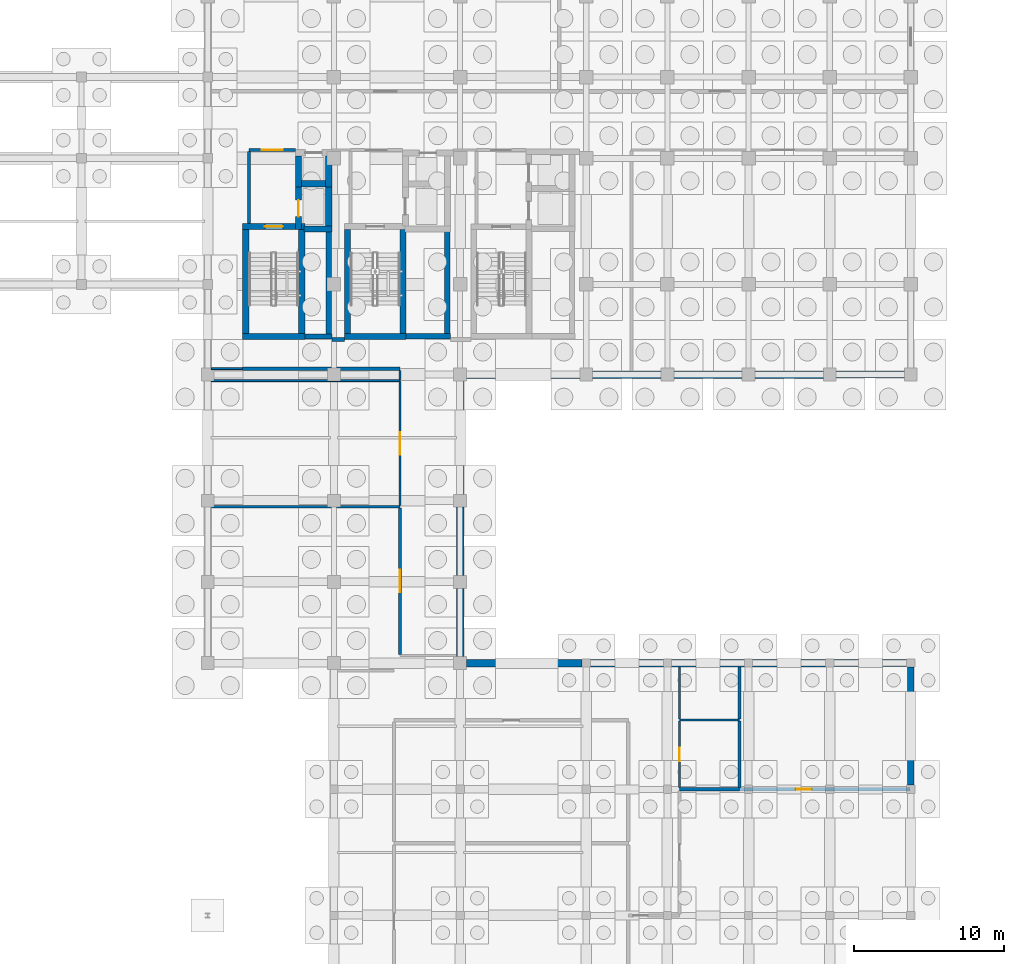
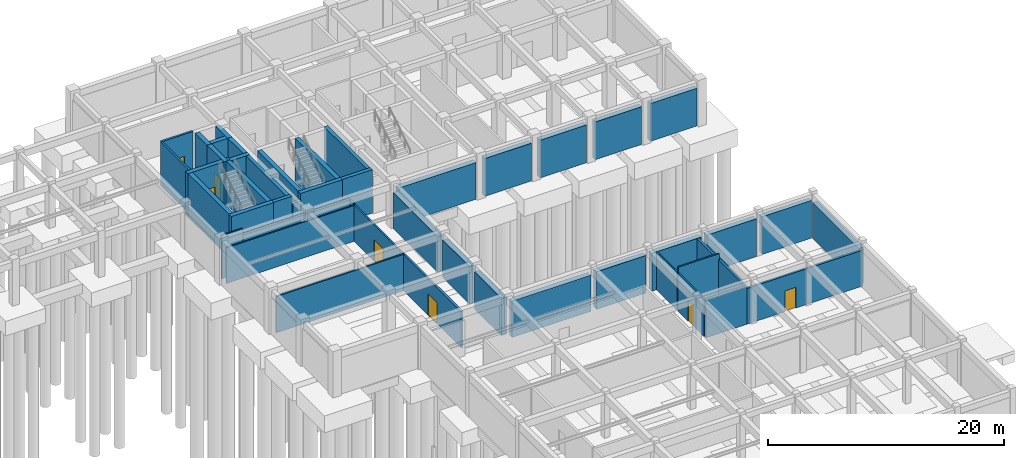
# One storey, part 40 of 49: 48 walls, 7 doors, 7 openings.
"""IFC4 building model written with IfcOpenShell, lengths in metres."""

import ifcopenshell
import ifcopenshell.guid

model = None  # the IFC model being written
_history = None  # IfcOwnerHistory: only IFC2X3 demands one
_inside = {}  # id of a spatial element -> (the spatial element, [elements in it])
_under = {}  # id of a project, library or spatial element -> (it, [spatial elements below it])
_declared = {}  # id of a project -> (the project, [libraries it declares])
_typed = {}  # id of a type object -> (the type object, [elements of that type])
_made_of = {}  # id of a material, layer set ... -> (it, [elements and type objects made of it])


def new_model(schema):
    """Start an empty IFC model of exactly this schema.

    Asked for "IFC4X3", IfcOpenShell would pick the latest addendum, in which some entities
    have other attributes; the version numbers below select the first issue.
    IFC2X3 requires an IfcOwnerHistory on every rooted entity: one is made here for all.
    """
    global model, _history
    if schema == "IFC4X3":
        model = ifcopenshell.file(schema_version=(4, 3, 0, 0))
    else:
        model = ifcopenshell.file(schema=schema)
    _inside.clear()
    _under.clear()
    _declared.clear()
    _typed.clear()
    _made_of.clear()
    _history = None
    if model.schema == "IFC2X3":
        org = make("IfcOrganization", Name="unknown")
        user = make(
            "IfcPersonAndOrganization",
            ThePerson=make("IfcPerson", FamilyName="unknown"),
            TheOrganization=org,
        )
        app = make(
            "IfcApplication",
            ApplicationDeveloper=org,
            Version="unknown",
            ApplicationFullName="unknown",
            ApplicationIdentifier="unknown",
        )
        _history = make(
            "IfcOwnerHistory",
            OwningUser=user,
            OwningApplication=app,
            ChangeAction="ADDED",
            CreationDate=0,
        )
    return model


def make(cls, **values):
    """One entity of the class cls with the attributes given. An attribute that is None is left unset."""
    return model.create_entity(
        cls, **{name: value for name, value in values.items() if value is not None}
    )


def rooted(cls, **values):
    """An entity with a GlobalId (a new one), such as an element, a storey or a relation."""
    return make(cls, GlobalId=ifcopenshell.guid.new(), OwnerHistory=_history, **values)


def si_unit(unit_type, name, prefix=None):
    """IfcSIUnit, for example si_unit("LENGTHUNIT", "METRE", prefix="MILLI")."""
    return make("IfcSIUnit", UnitType=unit_type, Prefix=prefix, Name=name)


def assignment(units):
    """IfcUnitAssignment: the units of a project."""
    return None if units is None else make("IfcUnitAssignment", Units=units)


def point(xyz):
    """IfcCartesianPoint."""
    return None if xyz is None else make("IfcCartesianPoint", Coordinates=xyz)


def direction(xyz):
    """IfcDirection."""
    return None if xyz is None else make("IfcDirection", DirectionRatios=xyz)


def frame(location, z_axis=None, x_axis=None):
    """IfcAxis2Placement3D, a coordinate frame: its origin and axes. An axis left out is left unset."""
    return make(
        "IfcAxis2Placement3D",
        Location=point(location),
        Axis=direction(z_axis),
        RefDirection=direction(x_axis),
    )


def frame_2d(location, x_axis=None):
    """IfcAxis2Placement2D, a coordinate frame in the plane: its origin and x axis."""
    return make(
        "IfcAxis2Placement2D", Location=point(location), RefDirection=direction(x_axis)
    )


def origin():
    """The frame at (0, 0, 0) with its axes left unset."""
    return frame((0.0, 0.0, 0.0))


def place(relative_to, where):
    """IfcLocalPlacement: puts the frame where relative to a parent placement (None: the world)."""
    return make(
        "IfcLocalPlacement", PlacementRelTo=relative_to, RelativePlacement=where
    )


def context(
    kind, dimensions, precision=None, world=None, true_north=None, identifier=None
):
    """IfcGeometricRepresentationContext, for example the 3D "Model" context."""
    return make(
        "IfcGeometricRepresentationContext",
        ContextIdentifier=identifier,
        ContextType=kind,
        CoordinateSpaceDimension=dimensions,
        Precision=precision,
        WorldCoordinateSystem=world,
        TrueNorth=true_north,
    )


def subcontext(parent, identifier, kind, view, scale=None):
    """IfcGeometricRepresentationSubContext, for example "Body" below "Model"."""
    return make(
        "IfcGeometricRepresentationSubContext",
        ContextIdentifier=identifier,
        ContextType=kind,
        ParentContext=parent,
        TargetScale=scale,
        TargetView=view,
    )


def project(units=None, contexts=None):
    """IfcProject with its units and contexts."""
    return rooted(
        "IfcProject",
        Name="project",
        RepresentationContexts=contexts,
        UnitsInContext=assignment(units),
    )


def spatial(cls, under=None, at=None, **own):
    """A site, building, storey or space (cls), placed at a placement, below another one or the project."""
    s = rooted(cls, ObjectPlacement=at, **own)
    if under is not None:
        _under.setdefault(under.id(), (under, []))[1].append(s)
    return s


def profile(cls, at=None, kind="AREA", **sizes):
    """A parametric profile (cls). Its sizes go by their IFC names, for example OverallWidth=200.0."""
    return make(cls, ProfileType=kind, Position=at, **sizes)


def rectangle(**sizes):
    """IfcRectangleProfileDef."""
    return profile("IfcRectangleProfileDef", **sizes)


def extrude(swept, where, along, depth):
    """IfcExtrudedAreaSolid: the profile swept, set in the frame where, extruded along a direction by depth."""
    return make(
        "IfcExtrudedAreaSolid",
        SweptArea=swept,
        Position=where,
        ExtrudedDirection=direction(along),
        Depth=depth,
    )


def shape(context_of_items, identifier, shape_type, items):
    """IfcShapeRepresentation: the items that make up one representation, for example the "Body"."""
    return make(
        "IfcShapeRepresentation",
        ContextOfItems=context_of_items,
        RepresentationIdentifier=identifier,
        RepresentationType=shape_type,
        Items=items,
    )


def material(Name=None, Category=None):
    """IfcMaterial."""
    return make("IfcMaterial", Name=Name, Category=Category)


def layer(
    of_material, thickness, ventilated=None, Name=None, Category=None, Priority=None
):
    """IfcMaterialLayer: one layer of a wall or slab, of a material (None: an air gap)."""
    return make(
        "IfcMaterialLayer",
        Material=of_material,
        LayerThickness=thickness,
        IsVentilated=ventilated,
        Name=Name,
        Category=Category,
        Priority=Priority,
    )


def layer_set(layers, Name=None):
    """IfcMaterialLayerSet."""
    return make("IfcMaterialLayerSet", MaterialLayers=layers, LayerSetName=Name)


def made_of(thing, what):
    """Note that an element or type object is made of a material, layer set ...; save() writes the relation."""
    if what is not None:
        _made_of.setdefault(what.id(), (what, []))[1].append(thing)
    return thing


def type_object(cls, material=None, **own):
    """A type object (cls), such as IfcWallType, which elements share."""
    return made_of(rooted(cls, **own), material)


def element(
    cls,
    number,
    at=None,
    inside=None,
    cuts=None,
    type_object=None,
    material=None,
    context=None,
    identifier="Body",
    shape_type=None,
    held_by="IfcProductDefinitionShape",
    body=None,
    shapes=None,
    **own,
):
    """One element of the class cls, such as IfcWall. Its Tag is "e" and its number.

    at: its placement. inside: the storey or other place that contains it. cuts: it is an
    opening in that element (IfcRelVoidsElement). A single representation is given by context,
    identifier, shape_type and body (its items); several are given by shapes. held_by: the class
    of the entity that holds the representations. save() writes the other relations.
    """
    e = rooted(cls, Tag="e%d" % number, ObjectPlacement=at, **own)
    if body is not None:
        shapes = [shape(context, identifier, shape_type, body)]
    if shapes is not None:
        e.Representation = make(held_by, Representations=shapes)
    if inside is not None:
        _inside.setdefault(inside.id(), (inside, []))[1].append(e)
    if cuts is not None:
        rooted(
            "IfcRelVoidsElement", RelatingBuildingElement=cuts, RelatedOpeningElement=e
        )
    if type_object is not None:
        _typed.setdefault(type_object.id(), (type_object, []))[1].append(e)
    return made_of(e, material)


def fill(opening, filler):
    """IfcRelFillsElement: the door or window that sits in an opening."""
    return rooted(
        "IfcRelFillsElement",
        RelatingOpeningElement=opening,
        RelatedBuildingElement=filler,
    )


def aggregate(whole, parts):
    """IfcRelAggregates: a whole, such as a stair, and the parts it consists of."""
    return rooted("IfcRelAggregates", RelatingObject=whole, RelatedObjects=parts)


def save(model, path):
    """Write the relations noted so far, then the file.

    IfcRelAggregates (storeys below a building ...), IfcRelContainedInSpatialStructure (elements
    in a storey), IfcRelDefinesByType, IfcRelAssociatesMaterial and IfcRelDeclares: one each for
    every whole, place, type object, material and project.
    """
    for whole, parts in _under.values():
        aggregate(whole, parts)
    for where, things in _inside.values():
        rooted(
            "IfcRelContainedInSpatialStructure",
            RelatedElements=things,
            RelatingStructure=where,
        )
    for kind, things in _typed.values():
        rooted("IfcRelDefinesByType", RelatedObjects=things, RelatingType=kind)
    for what, things in _made_of.values():
        rooted("IfcRelAssociatesMaterial", RelatedObjects=things, RelatingMaterial=what)
    for by, libraries in _declared.values():
        rooted("IfcRelDeclares", RelatingContext=by, RelatedDefinitions=libraries)
    model.write(path)


model = new_model("IFC4")

# Units and contexts
model_context = context("Model", 3, precision=1e-05, world=origin(), true_north=direction((0.0, 1.0)))
body_context = subcontext(model_context, "Body", "Model", "MODEL_VIEW")
ifc_project = project(units=[si_unit("LENGTHUNIT", "METRE"), si_unit("AREAUNIT", "SQUARE_METRE"), si_unit("VOLUMEUNIT", "CUBIC_METRE"), si_unit("PLANEANGLEUNIT", "RADIAN"), si_unit("MASSUNIT", "GRAM", prefix="KILO")], contexts=[model_context])

# Site, building, storey
site_placement = place(None, origin())
site = spatial("IfcSite", under=ifc_project, at=site_placement, CompositionType="ELEMENT")
building_placement = place(site_placement, origin())
building = spatial("IfcBuilding", under=site, at=building_placement, Name="Krzemoval Escarpment Law Courts", CompositionType="ELEMENT")
storey_placement = place(building_placement, frame((0.0, 0.0, -4.800048828125)))
storey = spatial("IfcBuildingStorey", under=building, at=storey_placement, Name="B1", CompositionType="ELEMENT", Elevation=-4.800048828125)

# Walls
ifc_material_1 = material(Name="Standard Metal-Stud Gypsum Partition", Category="gypsum")
ifc_layer_1 = layer(ifc_material_1, 0.125)
ifc_layer_set_1 = layer_set([ifc_layer_1], Name="Standard Metal-Stud Gypsum Partition")
wall_type_1 = type_object("IfcWallType", Name="WL-PRT-125", PredefinedType="PARTITIONING", material=ifc_layer_set_1)
wall_1_placement = place(storey_placement, frame((126.243896484375, 93.199951171875, 0.0), z_axis=(0.0, 0.0, 1.0), x_axis=(1.0, 0.0, 0.0)))
element("IfcWall", 1, at=wall_1_placement, inside=storey, type_object=wall_type_1, Name="Interior Partition PW-B1-0037", PredefinedType="PARTITIONING", context=body_context, shape_type="SweptSolid", body=[
    extrude(rectangle(XDim=12.55615234375, YDim=0.125, at=frame_2d((6.278076171875, 0.0))), origin(), (0.0, 0.0, 1.0), 3.699951171875),
])
wall_2_placement = place(storey_placement, frame((126.243896484375, 94.0, 0.0), z_axis=(0.0, 0.0, 1.0), x_axis=(1.0, 0.0, 0.0)))
element("IfcWall", 2, at=wall_2_placement, inside=storey, type_object=wall_type_1, Name="Interior Partition PW-B1-0038", PredefinedType="PARTITIONING", context=body_context, shape_type="SweptSolid", body=[
    extrude(rectangle(XDim=2.05615234375, YDim=0.125, at=frame_2d((1.028076171875, 0.0))), origin(), (0.0, 0.0, 1.0), 4.5),
])
ifc_material_2 = material(Name="Sanitary Moisture-Resistant Partition", Category="gypsum")
ifc_layer_2 = layer(ifc_material_2, 0.139892578125)
ifc_layer_set_2 = layer_set([ifc_layer_2], Name="Sanitary Moisture-Resistant Partition")
wall_type_2 = type_object("IfcWallType", Name="WL-PRT-140", PredefinedType="PARTITIONING", material=ifc_layer_set_2)
wall_3_placement = place(storey_placement, frame((157.39990234375, 70.60009765625, 0.0), z_axis=(0.0, 0.0, 1.0), x_axis=(1.0, 0.0, 0.0)))
element("IfcWall", 3, at=wall_3_placement, inside=storey, type_object=wall_type_2, Name="Interior Partition PW-B1-0033", PredefinedType="PARTITIONING", context=body_context, shape_type="SweptSolid", body=[
    extrude(rectangle(XDim=4.0, YDim=0.139892578125, at=frame_2d((2.0, 0.0))), origin(), (0.0, 0.0, 1.0), 4.5),
])
wall_4_placement = place(storey_placement, frame((138.800048828125, 93.263916015625, 0.0), z_axis=(0.0, 0.0, 1.0), x_axis=(0.0, 1.0, 0.0)))
element("IfcWall", 4, at=wall_4_placement, inside=storey, type_object=wall_type_2, Name="Interior Partition PW-B1-0068", PredefinedType="PARTITIONING", context=body_context, shape_type="SweptSolid", body=[
    extrude(rectangle(XDim=0.619140625, YDim=0.139892578125, at=frame_2d((0.3095703125, 0.0))), origin(), (0.0, 0.0, 1.0), 3.800048828125),
])
wall_5_placement = place(storey_placement, frame((157.39990234375, 70.672119140625, 0.0), z_axis=(0.0, 0.0, 1.0), x_axis=(0.0, 1.0, 0.0)))
element("IfcWall", 5, at=wall_5_placement, inside=storey, type_object=wall_type_2, Name="Interior Partition PW-B1-0076", PredefinedType="PARTITIONING", context=body_context, shape_type="SweptSolid", body=[
    extrude(rectangle(XDim=3.475830078125, YDim=0.139892578125, at=frame_2d((1.73779296875, 0.0))), origin(), (0.0, 0.0, 1.0), 3.900146484375),
])

# Wall, opening, door
wall_6_placement = place(storey_placement, frame((157.39990234375, 66.112060546875, 0.0), z_axis=(0.0, 0.0, 1.0), x_axis=(0.0, 1.0, 0.0)))
wall_6 = element("IfcWall", 6, at=wall_6_placement, inside=storey, type_object=wall_type_2, Name="Interior Partition PW-B1-0078", PredefinedType="PARTITIONING", context=body_context, shape_type="SweptSolid", body=[
    extrude(rectangle(XDim=4.416015625, YDim=0.139892578125, at=frame_2d((2.2080078125, 0.0))), origin(), (0.0, 0.0, 1.0), 3.900146484375),
])
opening_1_placement = place(wall_6_placement, frame((1.758056640625, 0.0, 0.0)))
opening_1 = element("IfcOpeningElement", 7, at=opening_1_placement, cuts=wall_6, Name="Opening D-B1-0028", PredefinedType="OPENING", context=body_context, shape_type="SweptSolid", body=[
    extrude(rectangle(XDim=0.89990234375, YDim=2.10009765625, at=frame_2d((0.449951171875, 1.050048828125))), frame((0.0, 0.08495, 0.0), z_axis=(0.0, -1.0, 0.0), x_axis=(1.0, 0.0, 0.0)), (0.0, 0.0, 1.0), 0.16989),
])
ifc_material_3 = material(Name="Engineered Solid-Core Oak Acoustic Timber", Category="wood")
door_type_1 = type_object("IfcDoorType", Name="DR-INT-900x2100", OperationType="SINGLE_SWING_LEFT", PredefinedType="DOOR", material=ifc_material_3)
door_1_placement = place(opening_1_placement, origin())
door_1 = element("IfcDoor", 8, at=door_1_placement, inside=storey, type_object=door_type_1, Name="Room Door D-B1-0028", OperationType="SINGLE_SWING_RIGHT", OverallHeight=2.10009765625, OverallWidth=0.89990234375, PredefinedType="DOOR", context=body_context, shape_type="SweptSolid", body=[
    extrude(rectangle(XDim=0.89990234375, YDim=2.10009765625, at=frame_2d((0.449951171875, 1.050048828125))), frame((0.0, 0.02490234375, 0.0), z_axis=(0.0, -1.0, 0.0), x_axis=(1.0, 0.0, 0.0)), (0.0, 0.0, 1.0), 0.050048828125),
])
fill(opening_1, door_1)

# Wall
ifc_material_4 = material(Name="Office Acoustic Partition Wall", Category="gypsum")
ifc_layer_3 = layer(ifc_material_4, 0.14990234375)
ifc_layer_set_3 = layer_set([ifc_layer_3], Name="Office Acoustic Partition Wall")
wall_type_3 = type_object("IfcWallType", Name="WL-PRT-150", PredefinedType="PARTITIONING", material=ifc_layer_set_3)
wall_7_placement = place(storey_placement, frame((126.243896484375, 84.800048828125, 0.0), z_axis=(0.0, 0.0, 1.0), x_axis=(1.0, 0.0, 0.0)))
element("IfcWall", 9, at=wall_7_placement, inside=storey, type_object=wall_type_3, Name="Interior Partition PW-B1-0036", PredefinedType="PARTITIONING", context=body_context, shape_type="SweptSolid", body=[
    extrude(rectangle(XDim=12.55615234375, YDim=0.14990234375, at=frame_2d((6.278076171875, 0.0))), origin(), (0.0, 0.0, 1.0), 3.75),
])

# Wall, opening, door
ifc_material_5 = material(Name="Jury Suite Partition Assembly", Category="gypsum")
ifc_layer_4 = layer(ifc_material_5, 0.159912109375)
ifc_layer_set_4 = layer_set([ifc_layer_4], Name="Jury Suite Partition Assembly")
wall_type_4 = type_object("IfcWallType", Name="WL-PRT-160", PredefinedType="PARTITIONING", material=ifc_layer_set_4)
wall_8_placement = place(storey_placement, frame((138.800048828125, 84.876953125, 0.0), z_axis=(0.0, 0.0, 1.0), x_axis=(0.0, 1.0, 0.0)))
wall_8 = element("IfcWall", 10, at=wall_8_placement, inside=storey, type_object=wall_type_4, Name="Interior Partition PW-B1-0067", PredefinedType="PARTITIONING", context=body_context, shape_type="SweptSolid", body=[
    extrude(rectangle(XDim=8.259033203125, YDim=0.159912109375, at=frame_2d((4.12939453125, 0.0))), origin(), (0.0, 0.0, 1.0), 3.75),
])
opening_2_placement = place(wall_8_placement, frame((3.3798828125, 0.0, 0.0)))
opening_2 = element("IfcOpeningElement", 11, at=opening_2_placement, cuts=wall_8, Name="Opening D-B1-0031", PredefinedType="OPENING", context=body_context, shape_type="SweptSolid", body=[
    extrude(rectangle(XDim=1.5, YDim=2.199951171875, at=frame_2d((0.75, 1.10009765625))), frame((0.0, 0.09496, 0.0), z_axis=(0.0, -1.0, 0.0), x_axis=(1.0, 0.0, 0.0)), (0.0, 0.0, 1.0), 0.18991),
])
ifc_material_6 = material(Name="Engineered Solid-Core Oak Acoustic Timber", Category="wood")
door_type_2 = type_object("IfcDoorType", Name="DR-INT-1500x2200", OperationType="SINGLE_SWING_LEFT", PredefinedType="DOOR", material=ifc_material_6)
door_2_placement = place(opening_2_placement, origin())
door_2 = element("IfcDoor", 12, at=door_2_placement, inside=storey, type_object=door_type_2, Name="Room Door D-B1-0031", OperationType="SINGLE_SWING_LEFT", OverallHeight=2.199951171875, OverallWidth=1.5, PredefinedType="DOOR", context=body_context, shape_type="SweptSolid", body=[
    extrude(rectangle(XDim=1.5, YDim=2.199951171875, at=frame_2d((0.75, 1.10009765625))), frame((0.0, 0.02490234375, 0.0), z_axis=(0.0, -1.0, 0.0), x_axis=(1.0, 0.0, 0.0)), (0.0, 0.0, 1.0), 0.050048828125),
])
fill(opening_2, door_2)

ifc_material_7 = material(Name="Fire-Rated Corridor Partition Wall", Category="gypsum")
ifc_layer_5 = layer(ifc_material_7, 0.199951171875)
ifc_layer_set_5 = layer_set([ifc_layer_5], Name="Fire-Rated Corridor Partition Wall")
wall_type_5 = type_object("IfcWallType", Name="WL-PRT-200", PredefinedType="PARTITIONING", material=ifc_layer_set_5)
wall_9_placement = place(storey_placement, frame((128.75, 108.550048828125, 0.0), z_axis=(0.0, 0.0, 1.0), x_axis=(1.0, 0.0, 0.0)))
wall_9 = element("IfcWall", 13, at=wall_9_placement, inside=storey, type_object=wall_type_5, Name="Interior Partition PW-B1-0042", PredefinedType="PARTITIONING", context=body_context, shape_type="SweptSolid", body=[
    extrude(rectangle(XDim=3.080078125, YDim=0.199951171875, at=frame_2d((1.5400390625, 0.0))), origin(), (0.0, 0.0, 1.0), 4.5),
])
opening_3_placement = place(wall_9_placement, frame((0.840087890625, 0.0, 0.0)))
opening_3 = element("IfcOpeningElement", 14, at=opening_3_placement, cuts=wall_9, Name="Opening D-B1-0013", PredefinedType="OPENING", context=body_context, shape_type="SweptSolid", body=[
    extrude(rectangle(XDim=1.39990234375, YDim=2.199951171875, at=frame_2d((0.699951171875, 1.10009765625))), frame((0.0, 0.11498, 0.0), z_axis=(0.0, -1.0, 0.0), x_axis=(1.0, 0.0, 0.0)), (0.0, 0.0, 1.0), 0.22995),
])
ifc_material_8 = material(Name="Galvanised Steel S355", Category="steel")
door_type_3 = type_object("IfcDoorType", Name="DR-FFL-1400x2200", OperationType="SINGLE_SWING_LEFT", PredefinedType="DOOR", material=ifc_material_8)
door_3_placement = place(opening_3_placement, origin())
door_3 = element("IfcDoor", 15, at=door_3_placement, inside=storey, type_object=door_type_3, Name="Room Door D-B1-0013", OperationType="SINGLE_SWING_LEFT", OverallHeight=2.199951171875, OverallWidth=1.39990234375, PredefinedType="DOOR", context=body_context, shape_type="SweptSolid", body=[
    extrude(rectangle(XDim=1.39990234375, YDim=2.199951171875, at=frame_2d((0.699951171875, 1.10009765625))), frame((0.0, 0.02490234375, 0.0), z_axis=(0.0, -1.0, 0.0), x_axis=(1.0, 0.0, 0.0)), (0.0, 0.0, 1.0), 0.050048828125),
])
fill(opening_3, door_3)

# Wall
wall_10_placement = place(storey_placement, frame((128.75, 103.672119140625, 0.0), z_axis=(0.0, 0.0, 1.0), x_axis=(0.0, 1.0, 0.0)))
element("IfcWall", 16, at=wall_10_placement, inside=storey, type_object=wall_type_5, Name="Interior Partition PW-B1-0059", PredefinedType="PARTITIONING", context=body_context, shape_type="SweptSolid", body=[
    extrude(rectangle(XDim=4.77587890625, YDim=0.199951171875, at=frame_2d((2.387939453125, 0.0))), origin(), (0.0, 0.0, 1.0), 4.5),
])

# Wall, opening, door
wall_11_placement = place(storey_placement, frame((138.800048828125, 74.971923828125, 0.0), z_axis=(0.0, 0.0, 1.0), x_axis=(0.0, 1.0, 0.0)))
wall_11 = element("IfcWall", 17, at=wall_11_placement, inside=storey, type_object=wall_type_5, Name="Interior Partition PW-B1-0066", PredefinedType="PARTITIONING", context=body_context, shape_type="SweptSolid", body=[
    extrude(rectangle(XDim=9.7509765625, YDim=0.199951171875, at=frame_2d((4.87548828125, 0.0))), origin(), (0.0, 0.0, 1.0), 3.75),
])
opening_4_placement = place(wall_11_placement, frame((4.1259765625, 0.0, 0.0)))
opening_4 = element("IfcOpeningElement", 18, at=opening_4_placement, cuts=wall_11, Name="Opening D-B1-0030", PredefinedType="OPENING", context=body_context, shape_type="SweptSolid", body=[
    extrude(rectangle(XDim=1.5, YDim=2.199951171875, at=frame_2d((0.75, 1.10009765625))), frame((0.0, 0.11498, 0.0), z_axis=(0.0, -1.0, 0.0), x_axis=(1.0, 0.0, 0.0)), (0.0, 0.0, 1.0), 0.22995),
])
door_4_placement = place(opening_4_placement, origin())
door_4 = element("IfcDoor", 19, at=door_4_placement, inside=storey, type_object=door_type_2, Name="Room Door D-B1-0030", OperationType="SINGLE_SWING_LEFT", OverallHeight=2.199951171875, OverallWidth=1.5, PredefinedType="DOOR", context=body_context, shape_type="SweptSolid", body=[
    extrude(rectangle(XDim=1.5, YDim=2.199951171875, at=frame_2d((0.75, 1.10009765625))), frame((0.0, 0.02490234375, 0.0), z_axis=(0.0, -1.0, 0.0), x_axis=(1.0, 0.0, 0.0)), (0.0, 0.0, 1.0), 0.050048828125),
])
fill(opening_4, door_4)

# Wall
ifc_material_9 = material(Name="Solid Calcium-Silicate Custody Blockwork Partition", Category="masonry")
ifc_layer_6 = layer(ifc_material_9, 0.219970703125)
ifc_layer_set_6 = layer_set([ifc_layer_6], Name="Solid Calcium-Silicate Custody Blockwork Partition")
wall_type_6 = type_object("IfcWallType", Name="WL-PRT-220", PredefinedType="PARTITIONING", material=ifc_layer_set_6)
wall_12_placement = place(storey_placement, frame((157.39990234375, 66.0, 0.0), z_axis=(0.0, 0.0, 1.0), x_axis=(1.0, 0.0, 0.0)))
element("IfcWall", 20, at=wall_12_placement, inside=storey, type_object=wall_type_6, Name="Interior Partition PW-B1-0030", PredefinedType="PARTITIONING", context=body_context, shape_type="SweptSolid", body=[
    extrude(rectangle(XDim=4.0, YDim=0.219970703125, at=frame_2d((2.0, 0.0))), origin(), (0.0, 0.0, 1.0), 3.900146484375),
])

# Wall, opening, door
wall_13_placement = place(storey_placement, frame((161.39990234375, 66.0, 0.0), z_axis=(0.0, 0.0, 1.0), x_axis=(1.0, 0.0, 0.0)))
wall_13 = element("IfcWall", 21, at=wall_13_placement, inside=storey, type_object=wall_type_6, Name="Interior Partition PW-B1-0031", PredefinedType="PARTITIONING", context=body_context, shape_type="SweptSolid", body=[
    extrude(rectangle(XDim=11.343994140625, YDim=0.219970703125, at=frame_2d((5.671875, 0.0))), origin(), (0.0, 0.0, 1.0), 3.699951171875),
])
opening_5_placement = place(wall_13_placement, frame((3.7470703125, 0.0, 0.0)))
opening_5 = element("IfcOpeningElement", 22, at=opening_5_placement, cuts=wall_13, Name="Opening D-B1-0029", PredefinedType="OPENING", context=body_context, shape_type="SweptSolid", body=[
    extrude(rectangle(XDim=1.050048828125, YDim=2.14990234375, at=frame_2d((0.52490234375, 1.074951171875))), frame((0.0, 0.12499, 0.0), z_axis=(0.0, -1.0, 0.0), x_axis=(1.0, 0.0, 0.0)), (0.0, 0.0, 1.0), 0.24997),
])
ifc_material_10 = material(Name="Galvanised Steel S355", Category="steel")
door_type_4 = type_object("IfcDoorType", Name="DR-CUS-1050x2150", OperationType="SINGLE_SWING_LEFT", PredefinedType="DOOR", material=ifc_material_10)
door_5_placement = place(opening_5_placement, origin())
door_5 = element("IfcDoor", 23, at=door_5_placement, inside=storey, type_object=door_type_4, Name="Room Door D-B1-0029", OperationType="SINGLE_SWING_LEFT", OverallHeight=2.14990234375, OverallWidth=1.050048828125, PredefinedType="DOOR", context=body_context, shape_type="SweptSolid", body=[
    extrude(rectangle(XDim=1.050048828125, YDim=2.14990234375, at=frame_2d((0.52490234375, 1.074951171875))), frame((0.0, 0.02490234375, 0.0), z_axis=(0.0, -1.0, 0.0), x_axis=(1.0, 0.0, 0.0)), (0.0, 0.0, 1.0), 0.050048828125),
])
fill(opening_5, door_5)

# Walls
wall_14_placement = place(storey_placement, frame((161.39990234375, 66.112060546875, 0.0), z_axis=(0.0, 0.0, 1.0), x_axis=(0.0, 1.0, 0.0)))
element("IfcWall", 24, at=wall_14_placement, inside=storey, type_object=wall_type_6, Name="Interior Partition PW-B1-0079", PredefinedType="PARTITIONING", context=body_context, shape_type="SweptSolid", body=[
    extrude(rectangle(XDim=4.416015625, YDim=0.219970703125, at=frame_2d((2.2080078125, 0.0))), origin(), (0.0, 0.0, 1.0), 3.900146484375),
])
wall_15_placement = place(storey_placement, frame((161.39990234375, 70.672119140625, 0.0), z_axis=(0.0, 0.0, 1.0), x_axis=(0.0, 1.0, 0.0)))
element("IfcWall", 25, at=wall_15_placement, inside=storey, type_object=wall_type_6, Name="Interior Partition PW-B1-0080", PredefinedType="PARTITIONING", context=body_context, shape_type="SweptSolid", body=[
    extrude(rectangle(XDim=3.475830078125, YDim=0.219970703125, at=frame_2d((1.73779296875, 0.0))), origin(), (0.0, 0.0, 1.0), 3.900146484375),
])
ifc_material_11 = material(Name="Acoustic Calcium-Silicate Block Wall", Category="masonry")
ifc_layer_7 = layer(ifc_material_11, 0.22998046875)
ifc_layer_set_7 = layer_set([ifc_layer_7], Name="Acoustic Calcium-Silicate Block Wall")
wall_type_7 = type_object("IfcWallType", Name="WL-PRT-230", PredefinedType="SOLIDWALL", material=ifc_layer_set_7)
wall_16_placement = place(storey_placement, frame((128.300048828125, 94.0, 0.0), z_axis=(0.0, 0.0, 1.0), x_axis=(1.0, 0.0, 0.0)))
element("IfcWall", 26, at=wall_16_placement, inside=storey, type_object=wall_type_7, Name="Interior Partition PW-B1-0039", PredefinedType="SOLIDWALL", context=body_context, shape_type="SweptSolid", body=[
    extrude(rectangle(XDim=10.5, YDim=0.22998046875, at=frame_2d((5.25, 0.0))), origin(), (0.0, 0.0, 1.0), 3.85009765625),
])
ifc_material_12 = material(Name="Acoustic Double-Stud Gypsum and Mineral Wool Wall", Category="gypsum")
ifc_layer_8 = layer(ifc_material_12, 0.260009765625)
ifc_layer_set_8 = layer_set([ifc_layer_8], Name="Acoustic Double-Stud Gypsum and Mineral Wool Wall")
wall_type_8 = type_object("IfcWallType", Name="WL-PRT-260", PredefinedType="PARTITIONING", material=ifc_layer_set_8)
wall_17_placement = place(storey_placement, frame((134.27001953125, 95.949951171875, 0.0), z_axis=(0.0, 0.0, 1.0), x_axis=(1.0, 0.0, 0.0)))
element("IfcWall", 27, at=wall_17_placement, inside=storey, type_object=wall_type_8, Name="Interior Partition PW-B1-0040", PredefinedType="PARTITIONING", context=body_context, shape_type="SweptSolid", body=[
    extrude(rectangle(XDim=0.830078125, YDim=0.260009765625, at=frame_2d((0.4150390625, 0.0))), origin(), (0.0, 0.0, 1.0), 3.85009765625),
])
ifc_material_13 = material(Name="Concrete C35/45", Category="concrete")
ifc_layer_9 = layer(ifc_material_13, 0.449951171875)
ifc_layer_set_9 = layer_set([ifc_layer_9], Name="Concrete C35/45")
wall_type_9 = type_object("IfcWallType", Name="WL-RET-450", PredefinedType="USERDEFINED", material=ifc_layer_set_9)
wall_18_placement = place(storey_placement, frame((172.375, 93.60009765625, 0.0), z_axis=(0.0, 0.0, 1.0), x_axis=(-1.0, 0.0, 0.0)))
element("IfcWall", 28, at=wall_18_placement, inside=storey, type_object=wall_type_9, Name="Exterior Wall EW-B1-0037", ObjectType="RETAININGWALL", PredefinedType="USERDEFINED", context=body_context, shape_type="SweptSolid", body=[
    extrude(rectangle(XDim=4.550048828125, YDim=0.449951171875, at=frame_2d((2.27490234375, 0.0))), origin(), (0.0, 0.0, 1.0), 3.900146484375),
])
wall_19_placement = place(storey_placement, frame((167.675048828125, 74.39990234375, 0.0), z_axis=(0.0, 0.0, 1.0), x_axis=(1.0, 0.0, 0.0)))
element("IfcWall", 29, at=wall_19_placement, inside=storey, type_object=wall_type_9, Name="Exterior Wall EW-B1-0049", ObjectType="RETAININGWALL", PredefinedType="USERDEFINED", context=body_context, shape_type="SweptSolid", body=[
    extrude(rectangle(XDim=4.849853515625, YDim=0.449951171875, at=frame_2d((2.4248046875, 0.0))), origin(), (0.0, 0.0, 1.0), 3.900146484375),
])
wall_20_placement = place(storey_placement, frame((172.800048828125, 74.125, 0.0), z_axis=(0.0, 0.0, 1.0), x_axis=(0.0, -1.0, 0.0)))
element("IfcWall", 30, at=wall_20_placement, inside=storey, type_object=wall_type_9, Name="Exterior Wall EW-B1-0050", ObjectType="RETAININGWALL", PredefinedType="USERDEFINED", context=body_context, shape_type="SweptSolid", body=[
    extrude(rectangle(XDim=7.85009765625, YDim=0.449951171875, at=frame_2d((3.925048828125, 0.0))), origin(), (0.0, 0.0, 1.0), 3.699951171875),
])
ifc_material_14 = material(Name="Concrete C35/45", Category="concrete")
ifc_layer_10 = layer(ifc_material_14, 0.5)
ifc_layer_set_10 = layer_set([ifc_layer_10], Name="Concrete C35/45")
wall_type_10 = type_object("IfcWallType", Name="WL-RET-500", PredefinedType="USERDEFINED", material=ifc_layer_set_10)
for number, where, z_axis, x_axis, name in (
    (31, (166.97509765625, 93.60009765625, 0.0), (0.0, 0.0, 1.0), (-1.0, 0.0, 0.0), "Exterior Wall EW-B1-0038"),
    (32, (161.574951171875, 93.60009765625, 0.0), (0.0, 0.0, 1.0), (-1.0, 0.0, 0.0), "Exterior Wall EW-B1-0039"),
    (33, (156.175048828125, 93.60009765625, 0.0), (0.0, 0.0, 1.0), (-1.0, 0.0, 0.0), "Exterior Wall EW-B1-0040"),
):
    element("IfcWall", number, at=place(storey_placement, frame(where, z_axis=z_axis, x_axis=x_axis)), inside=storey, type_object=wall_type_10, Name=name, ObjectType="RETAININGWALL", PredefinedType="USERDEFINED", context=body_context, shape_type="SweptSolid", body=[
        extrude(rectangle(XDim=4.550048828125, YDim=0.5, at=frame_2d((2.27490234375, 0.0))), origin(), (0.0, 0.0, 1.0), 3.900146484375),
    ])
wall_21_placement = place(storey_placement, frame((150.77490234375, 93.60009765625, 0.0), z_axis=(0.0, 0.0, 1.0), x_axis=(-1.0, 0.0, 0.0)))
element("IfcWall", 34, at=wall_21_placement, inside=storey, type_object=wall_type_10, Name="Exterior Wall EW-B1-0041", ObjectType="RETAININGWALL", PredefinedType="USERDEFINED", context=body_context, shape_type="SweptSolid", body=[
    extrude(rectangle(XDim=7.5498046875, YDim=0.5, at=frame_2d((3.77490234375, 0.0))), origin(), (0.0, 0.0, 1.0), 3.800048828125),
])
wall_22_placement = place(storey_placement, frame((142.800048828125, 93.175048828125, 0.0), z_axis=(0.0, 0.0, 1.0), x_axis=(0.0, -1.0, 0.0)))
element("IfcWall", 35, at=wall_22_placement, inside=storey, type_object=wall_type_10, Name="Exterior Wall EW-B1-0042", ObjectType="RETAININGWALL", PredefinedType="USERDEFINED", context=body_context, shape_type="SweptSolid", body=[
    extrude(rectangle(XDim=7.550048828125, YDim=0.5, at=frame_2d((3.77490234375, 0.0))), origin(), (0.0, 0.0, 1.0), 3.699951171875),
])
wall_23_placement = place(storey_placement, frame((142.800048828125, 84.77490234375, 0.0), z_axis=(0.0, 0.0, 1.0), x_axis=(0.0, -1.0, 0.0)))
element("IfcWall", 36, at=wall_23_placement, inside=storey, type_object=wall_type_10, Name="Exterior Wall EW-B1-0043", ObjectType="RETAININGWALL", PredefinedType="USERDEFINED", context=body_context, shape_type="SweptSolid", body=[
    extrude(rectangle(XDim=4.5498046875, YDim=0.5, at=frame_2d((2.27490234375, 0.0))), origin(), (0.0, 0.0, 1.0), 3.85009765625),
])
wall_24_placement = place(storey_placement, frame((142.800048828125, 79.375, 0.0), z_axis=(0.0, 0.0, 1.0), x_axis=(0.0, -1.0, 0.0)))
element("IfcWall", 37, at=wall_24_placement, inside=storey, type_object=wall_type_10, Name="Exterior Wall EW-B1-0044", ObjectType="RETAININGWALL", PredefinedType="USERDEFINED", context=body_context, shape_type="SweptSolid", body=[
    extrude(rectangle(XDim=4.550048828125, YDim=0.5, at=frame_2d((2.27490234375, 0.0))), origin(), (0.0, 0.0, 1.0), 3.85009765625),
])
wall_25_placement = place(storey_placement, frame((143.22509765625, 74.39990234375, 0.0), z_axis=(0.0, 0.0, 1.0), x_axis=(1.0, 0.0, 0.0)))
element("IfcWall", 38, at=wall_25_placement, inside=storey, type_object=wall_type_10, Name="Exterior Wall EW-B1-0045", ObjectType="RETAININGWALL", PredefinedType="USERDEFINED", context=body_context, shape_type="SweptSolid", body=[
    extrude(rectangle(XDim=7.699951171875, YDim=0.5, at=frame_2d((3.85009765625, 0.0))), origin(), (0.0, 0.0, 1.0), 3.75),
])
wall_26_placement = place(storey_placement, frame((151.47509765625, 74.39990234375, 0.0), z_axis=(0.0, 0.0, 1.0), x_axis=(1.0, 0.0, 0.0)))
element("IfcWall", 39, at=wall_26_placement, inside=storey, type_object=wall_type_10, Name="Exterior Wall EW-B1-0046", ObjectType="RETAININGWALL", PredefinedType="USERDEFINED", context=body_context, shape_type="SweptSolid", body=[
    extrude(rectangle(XDim=4.849853515625, YDim=0.5, at=frame_2d((2.4248046875, 0.0))), origin(), (0.0, 0.0, 1.0), 3.900146484375),
])
for number, where, z_axis, x_axis, name in (
    (40, (156.875, 74.39990234375, 0.0), (0.0, 0.0, 1.0), (1.0, 0.0, 0.0), "Exterior Wall EW-B1-0047"),
    (41, (162.27490234375, 74.39990234375, 0.0), (0.0, 0.0, 1.0), (1.0, 0.0, 0.0), "Exterior Wall EW-B1-0048"),
):
    element("IfcWall", number, at=place(storey_placement, frame(where, z_axis=z_axis, x_axis=x_axis)), inside=storey, type_object=wall_type_10, Name=name, ObjectType="RETAININGWALL", PredefinedType="USERDEFINED", context=body_context, shape_type="SweptSolid", body=[
        extrude(rectangle(XDim=4.85009765625, YDim=0.5, at=frame_2d((2.425048828125, 0.0))), origin(), (0.0, 0.0, 1.0), 3.900146484375),
    ])
ifc_material_15 = material(Name="Concrete C40/50", Category="concrete")
ifc_layer_11 = layer(ifc_material_15, 0.35009765625)
ifc_layer_set_11 = layer_set([ifc_layer_11], Name="Concrete C40/50")
wall_type_11 = type_object("IfcWallType", Name="WL-SHW-350", PredefinedType="SHEAR", material=ifc_layer_set_11)
wall_27_placement = place(storey_placement, frame((132.469970703125, 96.139892578125, 0.0), z_axis=(0.0, 0.0, 1.0), x_axis=(1.0, 0.0, 0.0)))
element("IfcWall", 42, at=wall_27_placement, inside=storey, type_object=wall_type_11, Name="Riser Shaft Wall SW-B1-0012", PredefinedType="SHEAR", context=body_context, shape_type="SweptSolid", body=[
    extrude(rectangle(XDim=1.800048828125, YDim=0.35009765625, at=frame_2d((0.89990234375, 0.0))), origin(), (0.0, 0.0, 1.0), 4.5),
])
wall_28_placement = place(storey_placement, frame((134.06005859375, 96.31005859375, 0.0), z_axis=(0.0, 0.0, 1.0), x_axis=(0.0, 1.0, 0.0)))
element("IfcWall", 43, at=wall_28_placement, inside=storey, type_object=wall_type_11, Name="Riser Shaft Wall SW-B1-0013", PredefinedType="SHEAR", context=body_context, shape_type="SweptSolid", body=[
    extrude(rectangle(XDim=7.197021484375, YDim=0.35009765625, at=frame_2d((3.5986328125, 0.0))), origin(), (0.0, 0.0, 1.0), 4.5),
])
wall_29_placement = place(storey_placement, frame((139.199951171875, 96.14990234375, 0.0), z_axis=(0.0, 0.0, 1.0), x_axis=(1.0, 0.0, 0.0)))
element("IfcWall", 44, at=wall_29_placement, inside=storey, type_object=wall_type_11, Name="Riser Shaft Wall SW-B1-0162", PredefinedType="SHEAR", context=body_context, shape_type="SweptSolid", body=[
    extrude(rectangle(XDim=2.949951171875, YDim=0.35009765625, at=frame_2d((1.47509765625, 0.0))), origin(), (0.0, 0.0, 1.0), 4.5),
])
wall_30_placement = place(storey_placement, frame((141.949951171875, 96.320068359375, 0.0), z_axis=(0.0, 0.0, 1.0), x_axis=(0.0, 1.0, 0.0)))
element("IfcWall", 45, at=wall_30_placement, inside=storey, type_object=wall_type_11, Name="Riser Shaft Wall SW-B1-0163", PredefinedType="SHEAR", context=body_context, shape_type="SweptSolid", body=[
    extrude(rectangle(XDim=7.18701171875, YDim=0.35009765625, at=frame_2d((3.593505859375, 0.0))), origin(), (0.0, 0.0, 1.0), 4.5),
])
ifc_material_16 = material(Name="Concrete C40/50", Category="concrete")
ifc_layer_12 = layer(ifc_material_16, 0.39990234375)
ifc_layer_set_12 = layer_set([ifc_layer_12], Name="Concrete C40/50")
wall_type_12 = type_object("IfcWallType", Name="WL-SHW-400", PredefinedType="SHEAR", material=ifc_layer_set_12)
wall_31_placement = place(storey_placement, frame((135.10009765625, 96.14990234375, 0.0), z_axis=(0.0, 0.0, 1.0), x_axis=(1.0, 0.0, 0.0)))
element("IfcWall", 46, at=wall_31_placement, inside=storey, type_object=wall_type_12, Name="Core Stair Shear Wall SW-B1-0152", PredefinedType="SHEAR", context=body_context, shape_type="SweptSolid", body=[
    extrude(rectangle(XDim=4.099853515625, YDim=0.39990234375, at=frame_2d((2.0498046875, 0.0))), origin(), (0.0, 0.0, 1.0), 4.5),
])
for number, where, z_axis, x_axis, name in (
    (47, (135.300048828125, 96.35205078125, 0.0), (0.0, 0.0, 1.0), (0.0, 1.0, 0.0), "Core Stair Shear Wall SW-B1-0153"),
    (48, (139.0, 96.35205078125, 0.0), (0.0, 0.0, 1.0), (0.0, 1.0, 0.0), "Core Stair Shear Wall SW-B1-0154"),
):
    element("IfcWall", number, at=place(storey_placement, frame(where, z_axis=z_axis, x_axis=x_axis)), inside=storey, type_object=wall_type_12, Name=name, PredefinedType="SHEAR", context=body_context, shape_type="SweptSolid", body=[
        extrude(rectangle(XDim=6.89599609375, YDim=0.39990234375, at=frame_2d((3.447998046875, 0.0))), origin(), (0.0, 0.0, 1.0), 4.5),
    ])

# Wall, opening, door
ifc_material_17 = material(Name="Concrete C40/50", Category="concrete")
ifc_layer_13 = layer(ifc_material_17, 0.419921875)
ifc_layer_set_13 = layer_set([ifc_layer_13], Name="Concrete C40/50")
wall_type_13 = type_object("IfcWallType", Name="WL-SHW-420", PredefinedType="SHEAR", material=ifc_layer_set_13)
wall_32_placement = place(storey_placement, frame((128.330078125, 103.4599609375, 0.0), z_axis=(0.0, 0.0, 1.0), x_axis=(1.0, 0.0, 0.0)))
wall_32 = element("IfcWall", 49, at=wall_32_placement, inside=storey, type_object=wall_type_13, Name="Core Stair Shear Wall SW-B1-0001", PredefinedType="SHEAR", context=body_context, shape_type="SweptSolid", body=[
    extrude(rectangle(XDim=4.139892578125, YDim=0.419921875, at=frame_2d((2.06982421875, 0.0))), origin(), (0.0, 0.0, 1.0), 4.5),
])
opening_6_placement = place(wall_32_placement, frame((1.469970703125, 0.0, 0.0)))
opening_6 = element("IfcOpeningElement", 50, at=opening_6_placement, cuts=wall_32, Name="Opening SD-ST1-B1", PredefinedType="OPENING", context=body_context, shape_type="SweptSolid", body=[
    extrude(rectangle(XDim=1.199951171875, YDim=2.199951171875, at=frame_2d((0.60009765625, 1.10009765625))), frame((0.0, 0.22496, 0.0), z_axis=(0.0, -1.0, 0.0), x_axis=(1.0, 0.0, 0.0)), (0.0, 0.0, 1.0), 0.44992),
])
ifc_material_18 = material(Name="Galvanised Steel S355", Category="steel")
door_type_5 = type_object("IfcDoorType", Name="DR-STR-1200x2200", OperationType="SINGLE_SWING_LEFT", PredefinedType="DOOR", material=ifc_material_18)
door_6_placement = place(opening_6_placement, origin())
door_6 = element("IfcDoor", 51, at=door_6_placement, inside=storey, type_object=door_type_5, Name="Stair Exit Door SD-ST1-B1", OperationType="SINGLE_SWING_RIGHT", OverallHeight=2.199951171875, OverallWidth=1.199951171875, PredefinedType="DOOR", context=body_context, shape_type="SweptSolid", body=[
    extrude(rectangle(XDim=1.199951171875, YDim=2.199951171875, at=frame_2d((0.60009765625, 1.10009765625))), frame((0.0, 0.02490234375, 0.0), z_axis=(0.0, -1.0, 0.0), x_axis=(1.0, 0.0, 0.0)), (0.0, 0.0, 1.0), 0.050048828125),
])
fill(opening_6, door_6)

# Walls
wall_33_placement = place(storey_placement, frame((128.330078125, 96.139892578125, 0.0), z_axis=(0.0, 0.0, 1.0), x_axis=(1.0, 0.0, 0.0)))
element("IfcWall", 52, at=wall_33_placement, inside=storey, type_object=wall_type_13, Name="Core Stair Shear Wall SW-B1-0002", PredefinedType="SHEAR", context=body_context, shape_type="SweptSolid", body=[
    extrude(rectangle(XDim=4.139892578125, YDim=0.419921875, at=frame_2d((2.06982421875, 0.0))), origin(), (0.0, 0.0, 1.0), 4.5),
])
for number, where, z_axis, x_axis, name in (
    (53, (128.5400390625, 96.35205078125, 0.0), (0.0, 0.0, 1.0), (0.0, 1.0, 0.0), "Core Stair Shear Wall SW-B1-0003"),
    (54, (132.260009765625, 96.35205078125, 0.0), (0.0, 0.0, 1.0), (0.0, 1.0, 0.0), "Core Stair Shear Wall SW-B1-0004"),
):
    element("IfcWall", number, at=place(storey_placement, frame(where, z_axis=z_axis, x_axis=x_axis)), inside=storey, type_object=wall_type_13, Name=name, PredefinedType="SHEAR", context=body_context, shape_type="SweptSolid", body=[
        extrude(rectangle(XDim=6.89599609375, YDim=0.419921875, at=frame_2d((3.447998046875, 0.0))), origin(), (0.0, 0.0, 1.0), 4.5),
    ])
wall_34_placement = place(storey_placement, frame((132.423095703125, 103.2900390625, 0.0), z_axis=(0.0, 0.0, 1.0), x_axis=(1.0, 0.0, 0.0)))
element("IfcWall", 55, at=wall_34_placement, inside=storey, type_object=wall_type_13, Name="Lift Shaft Shear Wall SW-B1-0005", PredefinedType="SHEAR", context=body_context, shape_type="SweptSolid", body=[
    extrude(rectangle(XDim=1.846923828125, YDim=0.419921875, at=frame_2d((0.92333984375, 0.0))), origin(), (0.0, 0.0, 1.0), 4.5),
])
wall_35_placement = place(storey_placement, frame((131.830078125, 106.31005859375, 0.0), z_axis=(0.0, 0.0, 1.0), x_axis=(1.0, 0.0, 0.0)))
element("IfcWall", 56, at=wall_35_placement, inside=storey, type_object=wall_type_13, Name="Lift Shaft Shear Wall SW-B1-0006", PredefinedType="SHEAR", context=body_context, shape_type="SweptSolid", body=[
    extrude(rectangle(XDim=2.43994140625, YDim=0.419921875, at=frame_2d((1.219970703125, 0.0))), origin(), (0.0, 0.0, 1.0), 4.5),
])

# Wall, opening, door
wall_36_placement = place(storey_placement, frame((132.0400390625, 103.242919921875, 0.0), z_axis=(0.0, 0.0, 1.0), x_axis=(0.0, 1.0, 0.0)))
wall_36 = element("IfcWall", 57, at=wall_36_placement, inside=storey, type_object=wall_type_13, Name="Lift Shaft Shear Wall SW-B1-0007", PredefinedType="SHEAR", context=body_context, shape_type="SweptSolid", body=[
    extrude(rectangle(XDim=2.85498046875, YDim=0.419921875, at=frame_2d((1.427490234375, 0.0))), origin(), (0.0, 0.0, 1.0), 4.5),
])
opening_7_placement = place(wall_36_placement, frame((0.8779296875, 0.0, 0.0)))
opening_7 = element("IfcOpeningElement", 58, at=opening_7_placement, cuts=wall_36, Name="Opening LD-FL1-B1", PredefinedType="OPENING", context=body_context, shape_type="SweptSolid", body=[
    extrude(rectangle(XDim=1.10009765625, YDim=2.14990234375, at=frame_2d((0.550048828125, 1.074951171875))), frame((0.0, 0.22496, 0.0), z_axis=(0.0, -1.0, 0.0), x_axis=(1.0, 0.0, 0.0)), (0.0, 0.0, 1.0), 0.44992),
])
ifc_material_19 = material(Name="Stainless Steel Grade 304", Category="steel")
door_type_6 = type_object("IfcDoorType", Name="DR-LFT-1100x2150", OperationType="SINGLE_SWING_LEFT", PredefinedType="DOOR", material=ifc_material_19)
door_7_placement = place(opening_7_placement, origin())
door_7 = element("IfcDoor", 59, at=door_7_placement, inside=storey, type_object=door_type_6, Name="Lift Landing Door LD-FL1-B1", OperationType="DOUBLE_DOOR_SLIDING", OverallHeight=2.14990234375, OverallWidth=1.10009765625, PredefinedType="DOOR", context=body_context, shape_type="SweptSolid", body=[
    extrude(rectangle(XDim=1.10009765625, YDim=2.14990234375, at=frame_2d((0.550048828125, 1.074951171875))), frame((0.0, 0.02490234375, 0.0), z_axis=(0.0, -1.0, 0.0), x_axis=(1.0, 0.0, 0.0)), (0.0, 0.0, 1.0), 0.050048828125),
])
fill(opening_7, door_7)

# Walls
wall_37_placement = place(storey_placement, frame((134.06005859375, 103.501953125, 0.0), z_axis=(0.0, 0.0, 1.0), x_axis=(0.0, 1.0, 0.0)))
element("IfcWall", 60, at=wall_37_placement, inside=storey, type_object=wall_type_13, Name="Lift Shaft Shear Wall SW-B1-0008", PredefinedType="SHEAR", context=body_context, shape_type="SweptSolid", body=[
    extrude(rectangle(XDim=2.595947265625, YDim=0.419921875, at=frame_2d((1.2978515625, 0.0))), origin(), (0.0, 0.0, 1.0), 4.5),
])
for number, where, z_axis, x_axis, name in (
    (61, (132.0400390625, 106.093017578125, 0.0), (0.0, 0.0, 1.0), (0.0, 1.0, 0.0), "Lift Shaft Shear Wall SW-B1-0010"),
    (62, (134.06005859375, 106.093017578125, 0.0), (0.0, 0.0, 1.0), (0.0, 1.0, 0.0), "Lift Shaft Shear Wall SW-B1-0011"),
):
    element("IfcWall", number, at=place(storey_placement, frame(where, z_axis=z_axis, x_axis=x_axis)), inside=storey, type_object=wall_type_13, Name=name, PredefinedType="SHEAR", context=body_context, shape_type="SweptSolid", body=[
        extrude(rectangle(XDim=2.054931640625, YDim=0.419921875, at=frame_2d((1.02734375, 0.0))), origin(), (0.0, 0.0, 1.0), 4.5),
    ])

save(model, "model.ifc")
